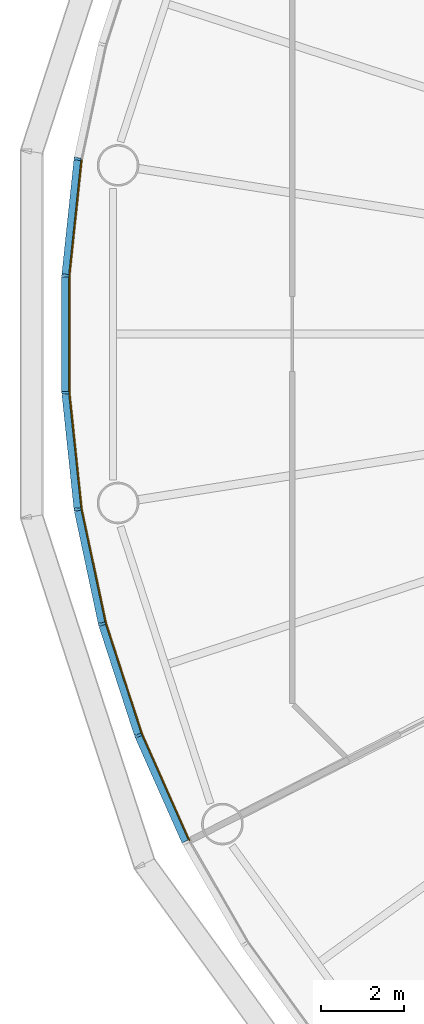
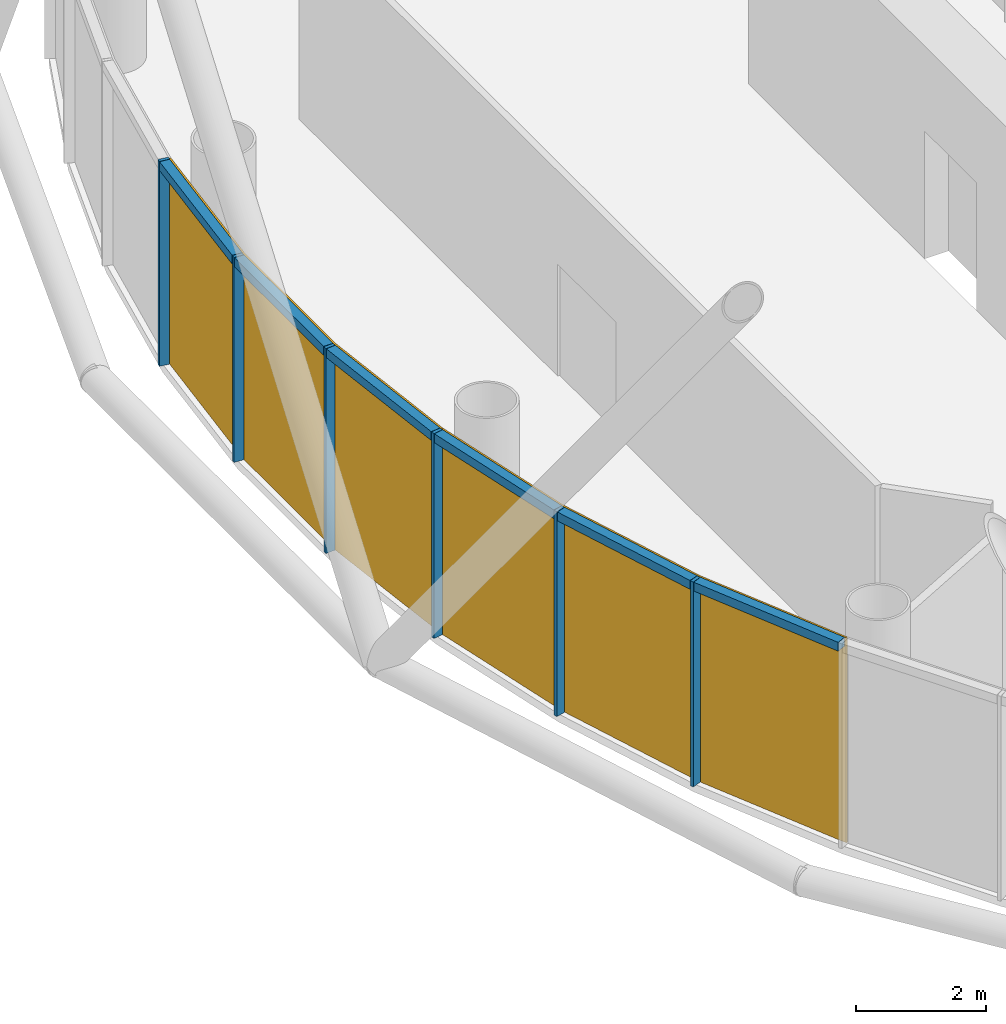
# One storey, part 7 of 12: 12 members, 2 curtain walls.
"""IFC4 building model written with IfcOpenShell, lengths in metres."""

from ifc_helpers import new_model, si_unit, direction, frame, origin, origin_2d, place, context, subcontext, project, spatial, polyline, rectangle, outline, extrude, material, layer, layer_set, material_profile, profile_set, type_object, element, aggregate, save


model = new_model("IFC4")

# Units and contexts
model_context = context("Model", 3, precision=1e-05, world=origin(), true_north=direction((0.0, 1.0)))
body_context = subcontext(model_context, "Body", "Model", "MODEL_VIEW")
ifc_project = project(units=[si_unit("LENGTHUNIT", "METRE"), si_unit("AREAUNIT", "SQUARE_METRE"), si_unit("VOLUMEUNIT", "CUBIC_METRE"), si_unit("PLANEANGLEUNIT", "RADIAN"), si_unit("MASSUNIT", "GRAM", prefix="KILO")], contexts=[model_context])

# Member
ifc_material_1 = material(Name="Anodised aluminium", Category="aluminium")
ifc_material_profile_1 = material_profile(ifc_material_1, rectangle(XDim=0.06005859375, YDim=0.169921875, at=origin_2d()), Name="Mullion 60 x 170 mm anodised aluminium")
ifc_profile_set_1 = profile_set([ifc_material_profile_1], Name="Anodised aluminium")
member_type_1 = type_object("IfcMemberType", Name="Mullion 60 x 170 mm anodised aluminium", PredefinedType="MULLION", material=ifc_profile_set_1)
site_placement = place(None, origin())
building_placement = place(site_placement, origin())
storey_placement = place(building_placement, frame((0.0, 0.0, 206.0)))
member_1_placement = place(storey_placement, frame((63.446044921875, 84.205810546875, 0.0), z_axis=(0.0, 0.0, 1.0), x_axis=(-0.15643446504, -0.987688340595, 0.0)))
member_1 = element("IfcMember", 1, at=member_1_placement, type_object=member_type_1, Name="MULLION L47-27", PredefinedType="MULLION", context=body_context, shape_type="SweptSolid", body=[
    extrude(rectangle(XDim=0.06005859375, YDim=0.169921875, at=origin_2d()), origin(), (0.0, 0.0, 1.0), 3.85009765625),
])

member_2_placement = place(storey_placement, frame((63.15185546875, 81.406982421875, 0.0), z_axis=(0.0, 0.0, 1.0), x_axis=(-0.052335956243, -0.998629534755, 0.0)))
member_2 = element("IfcMember", 2, at=member_2_placement, type_object=member_type_1, Name="MULLION L47-28", PredefinedType="MULLION", context=body_context, shape_type="SweptSolid", body=[
    extrude(rectangle(XDim=0.06005859375, YDim=0.169921875, at=origin_2d()), origin(), (0.0, 0.0, 1.0), 3.85009765625),
])

member_3_placement = place(storey_placement, frame((63.15185546875, 78.593017578125, 0.0), z_axis=(0.0, 0.0, 1.0), x_axis=(0.052335956243, -0.998629534755, 0.0)))
member_3 = element("IfcMember", 3, at=member_3_placement, type_object=member_type_1, Name="MULLION L47-29", PredefinedType="MULLION", context=body_context, shape_type="SweptSolid", body=[
    extrude(rectangle(XDim=0.06005859375, YDim=0.169921875, at=origin_2d()), origin(), (0.0, 0.0, 1.0), 3.85009765625),
])

member_4_placement = place(storey_placement, frame((63.446044921875, 75.794189453125, 0.0), z_axis=(0.0, 0.0, 1.0), x_axis=(0.15643446504, -0.987688340595, 0.0)))
member_4 = element("IfcMember", 4, at=member_4_placement, type_object=member_type_1, Name="MULLION L47-30", PredefinedType="MULLION", context=body_context, shape_type="SweptSolid", body=[
    extrude(rectangle(XDim=0.06005859375, YDim=0.169921875, at=origin_2d()), origin(), (0.0, 0.0, 1.0), 3.85009765625),
])

member_5_placement = place(storey_placement, frame((64.031005859375, 73.041748046875, 0.0), z_axis=(0.0, 0.0, 1.0), x_axis=(0.258819045103, -0.965925826289, 0.0)))
member_5 = element("IfcMember", 5, at=member_5_placement, type_object=member_type_1, Name="MULLION L47-31", PredefinedType="MULLION", context=body_context, shape_type="SweptSolid", body=[
    extrude(rectangle(XDim=0.06005859375, YDim=0.169921875, at=origin_2d()), origin(), (0.0, 0.0, 1.0), 3.85009765625),
])

member_6_placement = place(storey_placement, frame((64.900634765625, 70.365234375, 0.0), z_axis=(0.0, 0.0, 1.0), x_axis=(0.358367949545, -0.933580426497, 0.0)))
member_6 = element("IfcMember", 6, at=member_6_placement, type_object=member_type_1, Name="MULLION L47-32", PredefinedType="MULLION", context=body_context, shape_type="SweptSolid", body=[
    extrude(rectangle(XDim=0.06005859375, YDim=0.169921875, at=origin_2d()), origin(), (0.0, 0.0, 1.0), 3.85009765625),
])

ifc_material_2 = material(Name="Anodised aluminium", Category="aluminium")
ifc_material_profile_2 = material_profile(ifc_material_2, rectangle(XDim=0.169921875, YDim=0.1650390625, at=origin_2d()), Name="Transom 165 x 170 mm anodised aluminium")
ifc_profile_set_2 = profile_set([ifc_material_profile_2], Name="Anodised aluminium")
member_type_2 = type_object("IfcMemberType", Name="Transom 165 x 170 mm anodised aluminium", PredefinedType="USERDEFINED", material=ifc_profile_set_2)
member_7_placement = place(storey_placement, frame((63.4423828125, 84.17138671875, 3.767578125), z_axis=(-0.104592190102, -0.994515195344, 0.0), x_axis=(0.994515195344, -0.104592190102, 0.0)))
member_7 = element("IfcMember", 7, at=member_7_placement, type_object=member_type_2, Name="TRANSOM L47-27", ObjectType="TRANSOM", PredefinedType="USERDEFINED", context=body_context, shape_type="SweptSolid", body=[
    extrude(rectangle(XDim=0.169921875, YDim=0.1650390625, at=origin_2d()), origin(), (0.0, 0.0, 1.0), 2.7451171875),
])

member_8_placement = place(storey_placement, frame((63.151611328125, 81.37255859375, 3.767578125), z_axis=(0.0, -1.0, 0.0), x_axis=(1.0, 0.0, 0.0)))
member_8 = element("IfcMember", 8, at=member_8_placement, type_object=member_type_2, Name="TRANSOM L47-28", ObjectType="TRANSOM", PredefinedType="USERDEFINED", context=body_context, shape_type="SweptSolid", body=[
    extrude(rectangle(XDim=0.169921875, YDim=0.1650390625, at=origin_2d()), origin(), (0.0, 0.0, 1.0), 2.7451171875),
])

member_9_placement = place(storey_placement, frame((63.1552734375, 78.55859375, 3.767578125), z_axis=(0.104592190102, -0.994515195344, 0.0), x_axis=(0.994515195344, 0.104592190102, 0.0)))
member_9 = element("IfcMember", 9, at=member_9_placement, type_object=member_type_2, Name="TRANSOM L47-29", ObjectType="TRANSOM", PredefinedType="USERDEFINED", context=body_context, shape_type="SweptSolid", body=[
    extrude(rectangle(XDim=0.169921875, YDim=0.1650390625, at=origin_2d()), origin(), (0.0, 0.0, 1.0), 2.7451171875),
])

member_10_placement = place(storey_placement, frame((63.453125, 75.760498046875, 3.767578125), z_axis=(0.207937468562, -0.97814212115, 0.0), x_axis=(0.97814212115, 0.207937468562, 0.0)))
member_10 = element("IfcMember", 10, at=member_10_placement, type_object=member_type_2, Name="TRANSOM L47-30", ObjectType="TRANSOM", PredefinedType="USERDEFINED", context=body_context, shape_type="SweptSolid", body=[
    extrude(rectangle(XDim=0.169921875, YDim=0.1650390625, at=origin_2d()), origin(), (0.0, 0.0, 1.0), 2.7451171875),
])

member_11_placement = place(storey_placement, frame((64.04150390625, 73.0087890625, 3.767578125), z_axis=(0.309041831781, -0.951048445774, 0.0), x_axis=(0.951048445774, 0.309041831781, 0.0)))
member_11 = element("IfcMember", 11, at=member_11_placement, type_object=member_type_2, Name="TRANSOM L47-31", ObjectType="TRANSOM", PredefinedType="USERDEFINED", context=body_context, shape_type="SweptSolid", body=[
    extrude(rectangle(XDim=0.169921875, YDim=0.1650390625, at=origin_2d()), origin(), (0.0, 0.0, 1.0), 2.7451171875),
])

member_12_placement = place(storey_placement, frame((64.91455078125, 70.333740234375, 3.767578125), z_axis=(0.406781987391, -0.913525267704, 0.0), x_axis=(0.913525267704, 0.406781987391, 0.0)))
member_12 = element("IfcMember", 12, at=member_12_placement, type_object=member_type_2, Name="TRANSOM L47-32", ObjectType="TRANSOM", PredefinedType="USERDEFINED", context=body_context, shape_type="SweptSolid", body=[
    extrude(rectangle(XDim=0.169921875, YDim=0.1650390625, at=origin_2d()), origin(), (0.0, 0.0, 1.0), 2.7451171875),
])

# Site, building, storey
site = spatial("IfcSite", under=ifc_project, at=site_placement, CompositionType="ELEMENT")
building = spatial("IfcBuilding", under=site, at=building_placement, Name="Entoto Ring Tower", CompositionType="ELEMENT")
storey = spatial("IfcBuildingStorey", under=building, at=storey_placement, Name="L47", CompositionType="ELEMENT", Elevation=206.0)

# Curtain wall
ifc_material_3 = material(Name="Clear low-iron glass", Category="glass")
ifc_layer = layer(ifc_material_3, 0.031982421875)
ifc_layer_set = layer_set([ifc_layer], Name="Clear low-iron glass")
curtain_wall_type = type_object("IfcCurtainWallType", Name="Curtain wall system CW4 glazing 32 mm", PredefinedType="NOTDEFINED", material=ifc_layer_set)
curtain_wall_1_placement = place(storey_placement, origin())
curtain_wall_1 = element("IfcCurtainWall", 13, at=curtain_wall_1_placement, inside=storey, type_object=curtain_wall_type, Name="CW4 L47-10", PredefinedType="NOTDEFINED", context=body_context, shape_type="SweptSolid", body=[
    extrude(outline(polyline([(63.530029296875, 84.1923828125), (63.23681640625, 81.402587890625), (63.23681640625, 78.597412109375), (63.530029296875, 75.8076171875), (63.5615234375, 75.8125), (63.268798828125, 78.59912109375), (63.268798828125, 81.40087890625), (63.5615234375, 84.1875), (63.530029296875, 84.1923828125)])), origin(), (0.0, 0.0, 1.0), 3.85009765625),
])

aggregate(curtain_wall_1, [member_1, member_2, member_3, member_7, member_8, member_9])

curtain_wall_2_placement = place(storey_placement, origin())
curtain_wall_2 = element("IfcCurtainWall", 14, at=curtain_wall_2_placement, inside=storey, type_object=curtain_wall_type, Name="CW4 L47-11", PredefinedType="NOTDEFINED", context=body_context, shape_type="SweptSolid", body=[
    extrude(outline(polyline([(63.530029296875, 75.8076171875), (64.11328125, 73.063720703125), (64.97998046875, 70.395751953125), (66.12109375, 67.8330078125), (66.149658203125, 67.84765625), (65.010009765625, 70.4072265625), (64.14404296875, 73.072021484375), (63.5615234375, 75.8125), (63.530029296875, 75.8076171875)])), origin(), (0.0, 0.0, 1.0), 3.85009765625),
])

aggregate(curtain_wall_2, [member_4, member_5, member_6, member_10, member_11, member_12])

save(model, "model.ifc")
